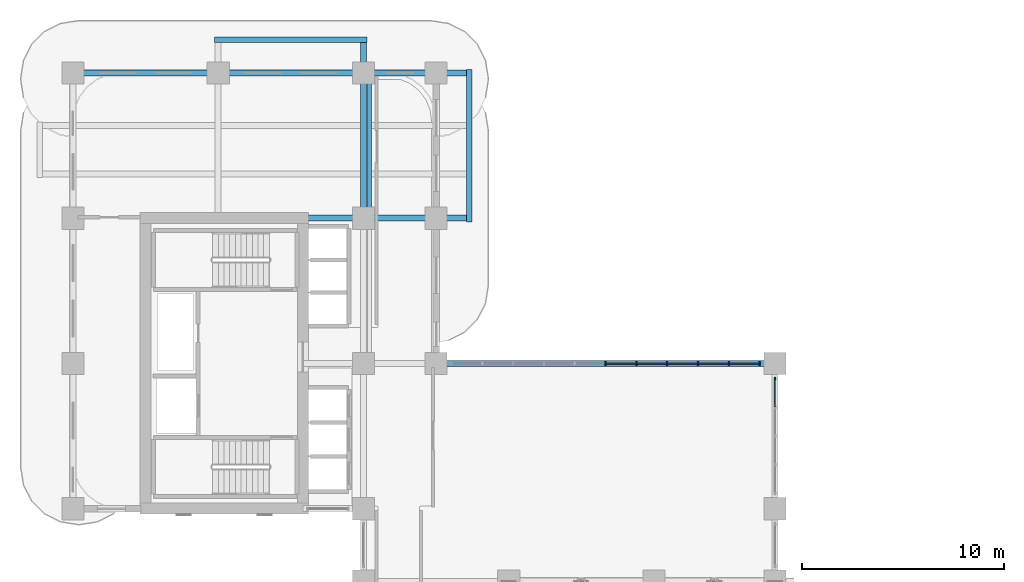
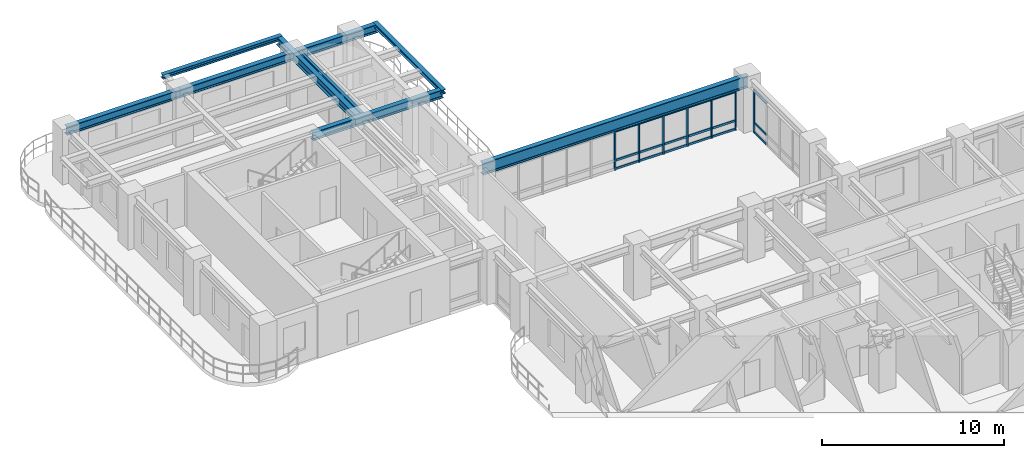
# One storey, part 6 of 21: 25 members, 8 beams, 2 elements without a shape of their own.
"""IFC4 building model written with IfcOpenShell, lengths in metres."""

from ifc_helpers import new_model, si_unit, derived_unit, direction, frame, origin, origin_2d, place, context, subcontext, project, spatial, rectangle, i_section, extrude, source, transform, mapped, material, layer, layer_set, material_profile, profile_set, type_object, type_shapes, element, aggregate, save


model = new_model("IFC4")

# Units and contexts
model_context = context("Model", 3, precision=1e-05, world=origin(), true_north=direction((0.0, 1.0)))
body_context = subcontext(model_context, "Body", "Model", "MODEL_VIEW")
ifc_project = project(units=[si_unit("LENGTHUNIT", "METRE"), si_unit("AREAUNIT", "SQUARE_METRE"), si_unit("VOLUMEUNIT", "CUBIC_METRE"), si_unit("PLANEANGLEUNIT", "RADIAN"), si_unit("MASSUNIT", "GRAM", prefix="KILO"), si_unit("THERMODYNAMICTEMPERATUREUNIT", "KELVIN"), si_unit("POWERUNIT", "WATT"), derived_unit("THERMALTRANSMITTANCEUNIT", [(si_unit("POWERUNIT", "WATT"), 1), (si_unit("AREAUNIT", "SQUARE_METRE"), -1), (si_unit("THERMODYNAMICTEMPERATUREUNIT", "KELVIN"), -1)])], contexts=[model_context])

# Site, building, storey
site_placement = place(None, origin())
site = spatial("IfcSite", under=ifc_project, at=site_placement, CompositionType="ELEMENT")
building_placement = place(site_placement, origin())
building = spatial("IfcBuilding", under=site, at=building_placement, Name="Zahravan Archway Hotel and Residences", CompositionType="ELEMENT")
storey_placement = place(building_placement, frame((0.0, 0.0, 69.39990234375)))
storey = spatial("IfcBuildingStorey", under=building, at=storey_placement, Name="L16", CompositionType="ELEMENT", Elevation=69.39990234375)

# Beams
ifc_material_1 = material(Name="Structural Steel S355JR", Category="steel")
ifc_material_profile_1 = material_profile(ifc_material_1, i_section(OverallWidth=0.280029296875, OverallDepth=0.280029296875, WebThickness=0.010498046875, FlangeThickness=0.01806640625, FilletRadius=0.02392578125, at=origin_2d()), Name="HEB 280", Category="steel")
ifc_profile_set_1 = profile_set([ifc_material_profile_1], Name="Structural Steel S355JR")
beam_type_1 = type_object("IfcBeamType", Name="BM-SPN-HEB280", PredefinedType="SPANDREL", material=ifc_profile_set_1)
shared_shape_1 = source(origin(), body_context, "Body", "SweptSolid", [
    extrude(i_section(OverallWidth=0.280029296875, OverallDepth=0.280029296875, WebThickness=0.010498046875, FlangeThickness=0.01806640625, FilletRadius=0.02392578125, at=origin_2d()), origin(), (0.0, 0.0, 1.0), 7.56005859375),
])
type_shapes(beam_type_1, [shared_shape_1])
for number, where, z_axis, x_axis, name in (
    (1, (19.64990234375, 39.419921875, 3.31005859375), (0.0, 1.0, 0.0), (-1.0, 0.0, 0.0), "L17 EB Balcony Edge Spandrel"),
    (2, (7.02001953125, 48.449951171875, 3.31005859375), (1.0, 0.0, 0.0), (0.0, 1.0, 0.0), "L17 NB Balcony Edge Spandrel"),
):
    element("IfcBeam", number, at=place(storey_placement, frame(where, z_axis=z_axis, x_axis=x_axis)), inside=storey, type_object=beam_type_1, Name=name, PredefinedType="SPANDREL", context=body_context, shape_type="MappedRepresentation", body=[
        mapped(shared_shape_1, transform((0.0, 0.0, 0.0), scale=1.0)),
    ])
ifc_material_profile_2 = material_profile(ifc_material_1, i_section(OverallWidth=0.300048828125, OverallDepth=0.550048828125, WebThickness=0.014892578125, FlangeThickness=0.029052734375, FilletRadius=0.027099609375, at=origin_2d()), Name="HEB 550", Category="steel")
ifc_profile_set_2 = profile_set([ifc_material_profile_2], Name="Structural Steel S355JR")
beam_type_2 = type_object("IfcBeamType", Name="BM-PRI-HEB550", PredefinedType="BEAM", material=ifc_profile_set_2)
shared_shape_2 = source(origin(), body_context, "Body", "SweptSolid", [
    extrude(i_section(OverallWidth=0.300048828125, OverallDepth=0.550048828125, WebThickness=0.014892578125, FlangeThickness=0.029052734375, FilletRadius=0.027099609375, at=origin_2d()), origin(), (0.0, 0.0, 1.0), 7.199951171875),
])
beam_1_placement = place(storey_placement, frame((0.0, 46.800048828125, 3.175048828125), z_axis=(1.0, 0.0, 0.0), x_axis=(0.0, 1.0, 0.0)))
element("IfcBeam", 3, at=beam_1_placement, inside=storey, type_object=beam_type_2, Name="L16 Primary Girder EW-22", PredefinedType="BEAM", context=body_context, shape_type="MappedRepresentation", body=[
    mapped(shared_shape_2, transform((0.0, 0.0, 0.0), scale=1.0)),
])
shared_shape_3 = source(origin(), body_context, "Body", "SweptSolid", [
    extrude(i_section(OverallWidth=0.300048828125, OverallDepth=0.550048828125, WebThickness=0.014892578125, FlangeThickness=0.029052734375, FilletRadius=0.027099609375, at=origin_2d()), origin(), (0.0, 0.0, 1.0), 8.25),
])
beam_2_placement = place(storey_placement, frame((11.39990234375, 39.60009765625, 3.175048828125), z_axis=(1.0, 0.0, 0.0), x_axis=(0.0, 1.0, 0.0)))
element("IfcBeam", 4, at=beam_2_placement, inside=storey, type_object=beam_type_2, Name="L16 Primary Girder EW-21", PredefinedType="BEAM", context=body_context, shape_type="MappedRepresentation", body=[
    mapped(shared_shape_3, transform((0.0, 0.0, 0.0), scale=1.0)),
])
shared_shape_4 = source(origin(), body_context, "Body", "SweptSolid", [
    extrude(i_section(OverallWidth=0.300048828125, OverallDepth=0.550048828125, WebThickness=0.014892578125, FlangeThickness=0.029052734375, FilletRadius=0.027099609375, at=origin_2d()), origin(), (0.0, 0.0, 1.0), 12.449951171875),
])
beam_3_placement = place(storey_placement, frame((7.199951171875, 46.800048828125, 3.175048828125), z_axis=(1.0, 0.0, 0.0), x_axis=(0.0, 1.0, 0.0)))
element("IfcBeam", 5, at=beam_3_placement, inside=storey, type_object=beam_type_2, Name="L16 Primary Girder EW-23", PredefinedType="BEAM", context=body_context, shape_type="MappedRepresentation", body=[
    mapped(shared_shape_4, transform((0.0, 0.0, 0.0), scale=1.0)),
])
shared_shape_5 = source(origin(), body_context, "Body", "SweptSolid", [
    extrude(i_section(OverallWidth=0.300048828125, OverallDepth=0.550048828125, WebThickness=0.014892578125, FlangeThickness=0.029052734375, FilletRadius=0.027099609375, at=origin_2d()), origin(), (0.0, 0.0, 1.0), 8.849853515625),
])
beam_4_placement = place(storey_placement, frame((14.39990234375, 39.60009765625, 3.175048828125), z_axis=(0.0, 1.0, 0.0), x_axis=(-1.0, 0.0, 0.0)))
element("IfcBeam", 6, at=beam_4_placement, inside=storey, type_object=beam_type_2, Name="L16 Primary Girder NS-36", PredefinedType="BEAM", context=body_context, shape_type="MappedRepresentation", body=[
    mapped(shared_shape_5, transform((0.0, 0.0, 0.0), scale=1.0)),
])
ifc_material_profile_3 = material_profile(ifc_material_1, i_section(OverallWidth=0.179931640625, OverallDepth=0.39990234375, WebThickness=0.008544921875, FlangeThickness=0.013427734375, FilletRadius=0.02099609375, at=origin_2d()), Name="IPE 400", Category="steel")
ifc_profile_set_3 = profile_set([ifc_material_profile_3], Name="Structural Steel S355JR")
beam_type_3 = type_object("IfcBeamType", Name="BM-JST-IPE400", PredefinedType="JOIST", material=ifc_profile_set_3)
shared_shape_6 = source(origin(), body_context, "Body", "SweptSolid", [
    extrude(i_section(OverallWidth=0.179931640625, OverallDepth=0.39990234375, WebThickness=0.008544921875, FlangeThickness=0.013427734375, FilletRadius=0.02099609375, at=origin_2d()), origin(), (0.0, 0.0, 1.0), 6.904052734375),
])
type_shapes(beam_type_3, [shared_shape_6])
beam_5_placement = place(storey_placement, frame((14.699951171875, 39.748046875, 3.25), z_axis=(0.0, 1.0, 0.0), x_axis=(-1.0, 0.0, 0.0)))
element("IfcBeam", 7, at=beam_5_placement, inside=storey, type_object=beam_type_3, Name="L16 Composite Floor Joist 12", PredefinedType="JOIST", context=body_context, shape_type="MappedRepresentation", body=[
    mapped(shared_shape_6, transform((0.0, 0.0, 0.0), scale=1.0)),
])
ifc_material_2 = material(Name="Structural Steel S355J2", Category="steel")
ifc_material_profile_4 = material_profile(ifc_material_2, i_section(OverallWidth=0.300048828125, OverallDepth=0.800048828125, WebThickness=0.017578125, FlangeThickness=0.032958984375, FilletRadius=0.030029296875, at=origin_2d()), Name="HEB 800", Category="steel")
ifc_profile_set_4 = profile_set([ifc_material_profile_4], Name="Structural Steel S355J2")
beam_type_4 = type_object("IfcBeamType", Name="BM-PRI-HEB800", PredefinedType="BEAM", material=ifc_profile_set_4)
shared_shape_7 = source(origin(), body_context, "Body", "SweptSolid", [
    extrude(i_section(OverallWidth=0.300048828125, OverallDepth=0.800048828125, WebThickness=0.017578125, FlangeThickness=0.032958984375, FilletRadius=0.030029296875, at=origin_2d()), origin(), (0.0, 0.0, 1.0), 16.800048828125),
])
type_shapes(beam_type_4, [shared_shape_7])
beam_6_placement = place(storey_placement, frame((18.0, 32.39990234375, 3.050048828125), z_axis=(1.0, 0.0, 0.0), x_axis=(0.0, 1.0, 0.0)))
element("IfcBeam", 8, at=beam_6_placement, inside=storey, type_object=beam_type_4, Name="L16 Primary Girder EW-20", PredefinedType="BEAM", context=body_context, shape_type="MappedRepresentation", body=[
    mapped(shared_shape_7, transform((0.0, 0.0, 0.0), scale=1.0)),
])

# Curtain wall, members
ifc_material_3 = material(Name="Bronze-Anodized Unitised Aluminium & Low-E Glass", Category="aluminium")
ifc_layer = layer(ifc_material_3, 0.179931640625, Name="Bronze-Anodized Unitised Aluminium & Low-E Glass", Category="aluminium")
ifc_layer_set = layer_set([ifc_layer], Name="Bronze-Anodized Unitised Aluminium & Low-E Glass")
curtain_wall_type = type_object("IfcCurtainWallType", Name="CW-SBG-1", PredefinedType="NOTDEFINED", material=ifc_layer_set)
curtain_wall_1_placement = place(storey_placement, origin())
curtain_wall_1 = element("IfcCurtainWall", 9, at=curtain_wall_1_placement, inside=storey, type_object=curtain_wall_type, Name="L16 Curtain Wall CW-L16-HNG-E-2", PredefinedType="NOTDEFINED")
ifc_material_4 = material(Name="Bronze-Anodized Extruded Aluminium", Category="aluminium")
ifc_material_profile_5 = material_profile(ifc_material_4, rectangle(XDim=0.080078125, YDim=0.139892578125, at=origin_2d()), Name="TRN 80x140", Category="aluminium")
ifc_profile_set_5 = profile_set([ifc_material_profile_5], Name="Bronze-Anodized Extruded Aluminium")
member_type_1 = type_object("IfcMemberType", Name="CWM-TRN-140", PredefinedType="USERDEFINED", material=ifc_profile_set_5)
shared_shape_8 = source(origin(), body_context, "Body", "SweptSolid", [
    extrude(rectangle(XDim=0.080078125, YDim=0.139892578125, at=origin_2d()), origin(), (0.0, 0.0, 1.0), 1.340087890625),
])
member_1_placement = place(storey_placement, frame((34.800048828125, 30.260009765625, 0.070068359375), z_axis=(0.0, 1.0, 0.0), x_axis=(-1.0, 0.0, 0.0)))
member_1 = element("IfcMember", 10, at=member_1_placement, type_object=member_type_1, Name="CW-L16-HNG-E-2 Transom 3-1", ObjectType="TRANSOM", PredefinedType="USERDEFINED", context=body_context, shape_type="MappedRepresentation", body=[
    mapped(shared_shape_8, transform((0.0, 0.0, 0.0), scale=1.0)),
])
member_2_placement = place(storey_placement, frame((34.800048828125, 30.260009765625, 0.6923828125), z_axis=(0.0, 1.0, 0.0), x_axis=(-1.0, 0.0, 0.0)))
member_2 = element("IfcMember", 11, at=member_2_placement, type_object=member_type_1, Name="CW-L16-HNG-E-2 Transom 3-2", ObjectType="TRANSOM", PredefinedType="USERDEFINED", context=body_context, shape_type="MappedRepresentation", body=[
    mapped(shared_shape_8, transform((0.0, 0.0, 0.0), scale=1.0)),
])
member_3_placement = place(storey_placement, frame((34.800048828125, 30.260009765625, 2.815185546875), z_axis=(0.0, 1.0, 0.0), x_axis=(-1.0, 0.0, 0.0)))
member_3 = element("IfcMember", 12, at=member_3_placement, type_object=member_type_1, Name="CW-L16-HNG-E-2 Transom 3-3", ObjectType="TRANSOM", PredefinedType="USERDEFINED", context=body_context, shape_type="MappedRepresentation", body=[
    mapped(shared_shape_8, transform((0.0, 0.0, 0.0), scale=1.0)),
])
ifc_material_profile_6 = material_profile(ifc_material_4, rectangle(XDim=0.080078125, YDim=0.159912109375, at=origin_2d()), Name="MUL 80x160", Category="aluminium")
ifc_profile_set_6 = profile_set([ifc_material_profile_6], Name="Bronze-Anodized Extruded Aluminium")
member_type_2 = type_object("IfcMemberType", Name="CWM-MUL-160", PredefinedType="MULLION", material=ifc_profile_set_6)
shared_shape_9 = source(origin(), body_context, "Body", "SweptSolid", [
    extrude(rectangle(XDim=0.080078125, YDim=0.159912109375, at=origin_2d()), origin(), (0.0, 0.0, 1.0), 2.885009765625),
])
member_4_placement = place(storey_placement, frame((34.800048828125, 31.639892578125, 0.0), z_axis=(0.0, 0.0, 1.0), x_axis=(1.0, 0.0, 0.0)))
member_4 = element("IfcMember", 13, at=member_4_placement, type_object=member_type_2, Name="CW-L16-HNG-E-2 Mullion 4", PredefinedType="MULLION", context=body_context, shape_type="MappedRepresentation", body=[
    mapped(shared_shape_9, transform((0.0, 0.0, 0.0), scale=1.0)),
])
aggregate(curtain_wall_1, [member_4, member_1, member_2, member_3])

curtain_wall_2_placement = place(storey_placement, origin())
curtain_wall_2 = element("IfcCurtainWall", 14, at=curtain_wall_2_placement, inside=storey, type_object=curtain_wall_type, Name="L16 Curtain Wall CW-L16-HNG-N-1", PredefinedType="NOTDEFINED")
shared_shape_10 = source(origin(), body_context, "Body", "SweptSolid", [
    extrude(rectangle(XDim=0.080078125, YDim=0.159912109375, at=origin_2d()), origin(), (0.0, 0.0, 1.0), 2.635009765625),
])
member_5_placement = place(storey_placement, frame((26.39990234375, 32.39990234375, 0.0), z_axis=(0.0, 0.0, 1.0), x_axis=(1.0, 0.0, 0.0)))
member_5 = element("IfcMember", 15, at=member_5_placement, type_object=member_type_2, Name="CW-L16-HNG-N-1 Mullion 5", PredefinedType="MULLION", context=body_context, shape_type="MappedRepresentation", body=[
    mapped(shared_shape_10, transform((0.0, 0.0, 0.0), scale=1.0)),
])
member_6_placement = place(storey_placement, frame((27.927978515625, 32.39990234375, 0.0), z_axis=(0.0, 0.0, 1.0), x_axis=(1.0, 0.0, 0.0)))
member_6 = element("IfcMember", 16, at=member_6_placement, type_object=member_type_2, Name="CW-L16-HNG-N-1 Mullion 6", PredefinedType="MULLION", context=body_context, shape_type="MappedRepresentation", body=[
    mapped(shared_shape_10, transform((0.0, 0.0, 0.0), scale=1.0)),
])
member_7_placement = place(storey_placement, frame((29.4560546875, 32.39990234375, 0.0), z_axis=(0.0, 0.0, 1.0), x_axis=(1.0, 0.0, 0.0)))
member_7 = element("IfcMember", 17, at=member_7_placement, type_object=member_type_2, Name="CW-L16-HNG-N-1 Mullion 7", PredefinedType="MULLION", context=body_context, shape_type="MappedRepresentation", body=[
    mapped(shared_shape_10, transform((0.0, 0.0, 0.0), scale=1.0)),
])
member_8_placement = place(storey_placement, frame((30.98388671875, 32.39990234375, 0.0), z_axis=(0.0, 0.0, 1.0), x_axis=(1.0, 0.0, 0.0)))
member_8 = element("IfcMember", 18, at=member_8_placement, type_object=member_type_2, Name="CW-L16-HNG-N-1 Mullion 8", PredefinedType="MULLION", context=body_context, shape_type="MappedRepresentation", body=[
    mapped(shared_shape_10, transform((0.0, 0.0, 0.0), scale=1.0)),
])
member_9_placement = place(storey_placement, frame((32.511962890625, 32.39990234375, 0.0), z_axis=(0.0, 0.0, 1.0), x_axis=(1.0, 0.0, 0.0)))
member_9 = element("IfcMember", 19, at=member_9_placement, type_object=member_type_2, Name="CW-L16-HNG-N-1 Mullion 9", PredefinedType="MULLION", context=body_context, shape_type="MappedRepresentation", body=[
    mapped(shared_shape_10, transform((0.0, 0.0, 0.0), scale=1.0)),
])
member_10_placement = place(storey_placement, frame((34.0400390625, 32.39990234375, 0.0), z_axis=(0.0, 0.0, 1.0), x_axis=(1.0, 0.0, 0.0)))
member_10 = element("IfcMember", 20, at=member_10_placement, type_object=member_type_2, Name="CW-L16-HNG-N-1 Mullion 10", PredefinedType="MULLION", context=body_context, shape_type="MappedRepresentation", body=[
    mapped(shared_shape_10, transform((0.0, 0.0, 0.0), scale=1.0)),
])
shared_shape_11 = source(origin(), body_context, "Body", "SweptSolid", [
    extrude(rectangle(XDim=0.080078125, YDim=0.139892578125, at=origin_2d()), origin(), (0.0, 0.0, 1.0), 1.447998046875),
])
member_11_placement = place(storey_placement, frame((26.43994140625, 32.39990234375, 0.070068359375), z_axis=(1.0, 0.0, 0.0), x_axis=(0.0, 1.0, 0.0)))
member_11 = element("IfcMember", 21, at=member_11_placement, type_object=member_type_1, Name="CW-L16-HNG-N-1 Transom 5-1", ObjectType="TRANSOM", PredefinedType="USERDEFINED", context=body_context, shape_type="MappedRepresentation", body=[
    mapped(shared_shape_11, transform((0.0, 0.0, 0.0), scale=1.0)),
])
member_12_placement = place(storey_placement, frame((26.43994140625, 32.39990234375, 0.632568359375), z_axis=(1.0, 0.0, 0.0), x_axis=(0.0, 1.0, 0.0)))
member_12 = element("IfcMember", 22, at=member_12_placement, type_object=member_type_1, Name="CW-L16-HNG-N-1 Transom 5-2", ObjectType="TRANSOM", PredefinedType="USERDEFINED", context=body_context, shape_type="MappedRepresentation", body=[
    mapped(shared_shape_11, transform((0.0, 0.0, 0.0), scale=1.0)),
])
member_13_placement = place(storey_placement, frame((26.43994140625, 32.39990234375, 2.565185546875), z_axis=(1.0, 0.0, 0.0), x_axis=(0.0, 1.0, 0.0)))
member_13 = element("IfcMember", 23, at=member_13_placement, type_object=member_type_1, Name="CW-L16-HNG-N-1 Transom 5-3", ObjectType="TRANSOM", PredefinedType="USERDEFINED", context=body_context, shape_type="MappedRepresentation", body=[
    mapped(shared_shape_11, transform((0.0, 0.0, 0.0), scale=1.0)),
])
member_14_placement = place(storey_placement, frame((27.968017578125, 32.39990234375, 0.070068359375), z_axis=(1.0, 0.0, 0.0), x_axis=(0.0, 1.0, 0.0)))
member_14 = element("IfcMember", 24, at=member_14_placement, type_object=member_type_1, Name="CW-L16-HNG-N-1 Transom 6-1", ObjectType="TRANSOM", PredefinedType="USERDEFINED", context=body_context, shape_type="MappedRepresentation", body=[
    mapped(shared_shape_11, transform((0.0, 0.0, 0.0), scale=1.0)),
])
member_15_placement = place(storey_placement, frame((27.968017578125, 32.39990234375, 0.632568359375), z_axis=(1.0, 0.0, 0.0), x_axis=(0.0, 1.0, 0.0)))
member_15 = element("IfcMember", 25, at=member_15_placement, type_object=member_type_1, Name="CW-L16-HNG-N-1 Transom 6-2", ObjectType="TRANSOM", PredefinedType="USERDEFINED", context=body_context, shape_type="MappedRepresentation", body=[
    mapped(shared_shape_11, transform((0.0, 0.0, 0.0), scale=1.0)),
])
member_16_placement = place(storey_placement, frame((27.968017578125, 32.39990234375, 2.565185546875), z_axis=(1.0, 0.0, 0.0), x_axis=(0.0, 1.0, 0.0)))
member_16 = element("IfcMember", 26, at=member_16_placement, type_object=member_type_1, Name="CW-L16-HNG-N-1 Transom 6-3", ObjectType="TRANSOM", PredefinedType="USERDEFINED", context=body_context, shape_type="MappedRepresentation", body=[
    mapped(shared_shape_11, transform((0.0, 0.0, 0.0), scale=1.0)),
])
member_17_placement = place(storey_placement, frame((29.49609375, 32.39990234375, 0.070068359375), z_axis=(1.0, 0.0, 0.0), x_axis=(0.0, 1.0, 0.0)))
member_17 = element("IfcMember", 27, at=member_17_placement, type_object=member_type_1, Name="CW-L16-HNG-N-1 Transom 7-1", ObjectType="TRANSOM", PredefinedType="USERDEFINED", context=body_context, shape_type="MappedRepresentation", body=[
    mapped(shared_shape_11, transform((0.0, 0.0, 0.0), scale=1.0)),
])
member_18_placement = place(storey_placement, frame((29.49609375, 32.39990234375, 0.632568359375), z_axis=(1.0, 0.0, 0.0), x_axis=(0.0, 1.0, 0.0)))
member_18 = element("IfcMember", 28, at=member_18_placement, type_object=member_type_1, Name="CW-L16-HNG-N-1 Transom 7-2", ObjectType="TRANSOM", PredefinedType="USERDEFINED", context=body_context, shape_type="MappedRepresentation", body=[
    mapped(shared_shape_11, transform((0.0, 0.0, 0.0), scale=1.0)),
])
member_19_placement = place(storey_placement, frame((29.49609375, 32.39990234375, 2.565185546875), z_axis=(1.0, 0.0, 0.0), x_axis=(0.0, 1.0, 0.0)))
member_19 = element("IfcMember", 29, at=member_19_placement, type_object=member_type_1, Name="CW-L16-HNG-N-1 Transom 7-3", ObjectType="TRANSOM", PredefinedType="USERDEFINED", context=body_context, shape_type="MappedRepresentation", body=[
    mapped(shared_shape_11, transform((0.0, 0.0, 0.0), scale=1.0)),
])
member_20_placement = place(storey_placement, frame((31.02392578125, 32.39990234375, 0.070068359375), z_axis=(1.0, 0.0, 0.0), x_axis=(0.0, 1.0, 0.0)))
member_20 = element("IfcMember", 30, at=member_20_placement, type_object=member_type_1, Name="CW-L16-HNG-N-1 Transom 8-1", ObjectType="TRANSOM", PredefinedType="USERDEFINED", context=body_context, shape_type="MappedRepresentation", body=[
    mapped(shared_shape_11, transform((0.0, 0.0, 0.0), scale=1.0)),
])
member_21_placement = place(storey_placement, frame((31.02392578125, 32.39990234375, 0.632568359375), z_axis=(1.0, 0.0, 0.0), x_axis=(0.0, 1.0, 0.0)))
member_21 = element("IfcMember", 31, at=member_21_placement, type_object=member_type_1, Name="CW-L16-HNG-N-1 Transom 8-2", ObjectType="TRANSOM", PredefinedType="USERDEFINED", context=body_context, shape_type="MappedRepresentation", body=[
    mapped(shared_shape_11, transform((0.0, 0.0, 0.0), scale=1.0)),
])
member_22_placement = place(storey_placement, frame((31.02392578125, 32.39990234375, 2.565185546875), z_axis=(1.0, 0.0, 0.0), x_axis=(0.0, 1.0, 0.0)))
member_22 = element("IfcMember", 32, at=member_22_placement, type_object=member_type_1, Name="CW-L16-HNG-N-1 Transom 8-3", ObjectType="TRANSOM", PredefinedType="USERDEFINED", context=body_context, shape_type="MappedRepresentation", body=[
    mapped(shared_shape_11, transform((0.0, 0.0, 0.0), scale=1.0)),
])
member_23_placement = place(storey_placement, frame((32.552001953125, 32.39990234375, 0.070068359375), z_axis=(1.0, 0.0, 0.0), x_axis=(0.0, 1.0, 0.0)))
member_23 = element("IfcMember", 33, at=member_23_placement, type_object=member_type_1, Name="CW-L16-HNG-N-1 Transom 9-1", ObjectType="TRANSOM", PredefinedType="USERDEFINED", context=body_context, shape_type="MappedRepresentation", body=[
    mapped(shared_shape_11, transform((0.0, 0.0, 0.0), scale=1.0)),
])
member_24_placement = place(storey_placement, frame((32.552001953125, 32.39990234375, 0.632568359375), z_axis=(1.0, 0.0, 0.0), x_axis=(0.0, 1.0, 0.0)))
member_24 = element("IfcMember", 34, at=member_24_placement, type_object=member_type_1, Name="CW-L16-HNG-N-1 Transom 9-2", ObjectType="TRANSOM", PredefinedType="USERDEFINED", context=body_context, shape_type="MappedRepresentation", body=[
    mapped(shared_shape_11, transform((0.0, 0.0, 0.0), scale=1.0)),
])
member_25_placement = place(storey_placement, frame((32.552001953125, 32.39990234375, 2.565185546875), z_axis=(1.0, 0.0, 0.0), x_axis=(0.0, 1.0, 0.0)))
member_25 = element("IfcMember", 35, at=member_25_placement, type_object=member_type_1, Name="CW-L16-HNG-N-1 Transom 9-3", ObjectType="TRANSOM", PredefinedType="USERDEFINED", context=body_context, shape_type="MappedRepresentation", body=[
    mapped(shared_shape_11, transform((0.0, 0.0, 0.0), scale=1.0)),
])
aggregate(curtain_wall_2, [member_5, member_6, member_7, member_8, member_9, member_10, member_11, member_12, member_13, member_14, member_15, member_16, member_17, member_18, member_19, member_20, member_21, member_22, member_23, member_24, member_25])

save(model, "model.ifc")
